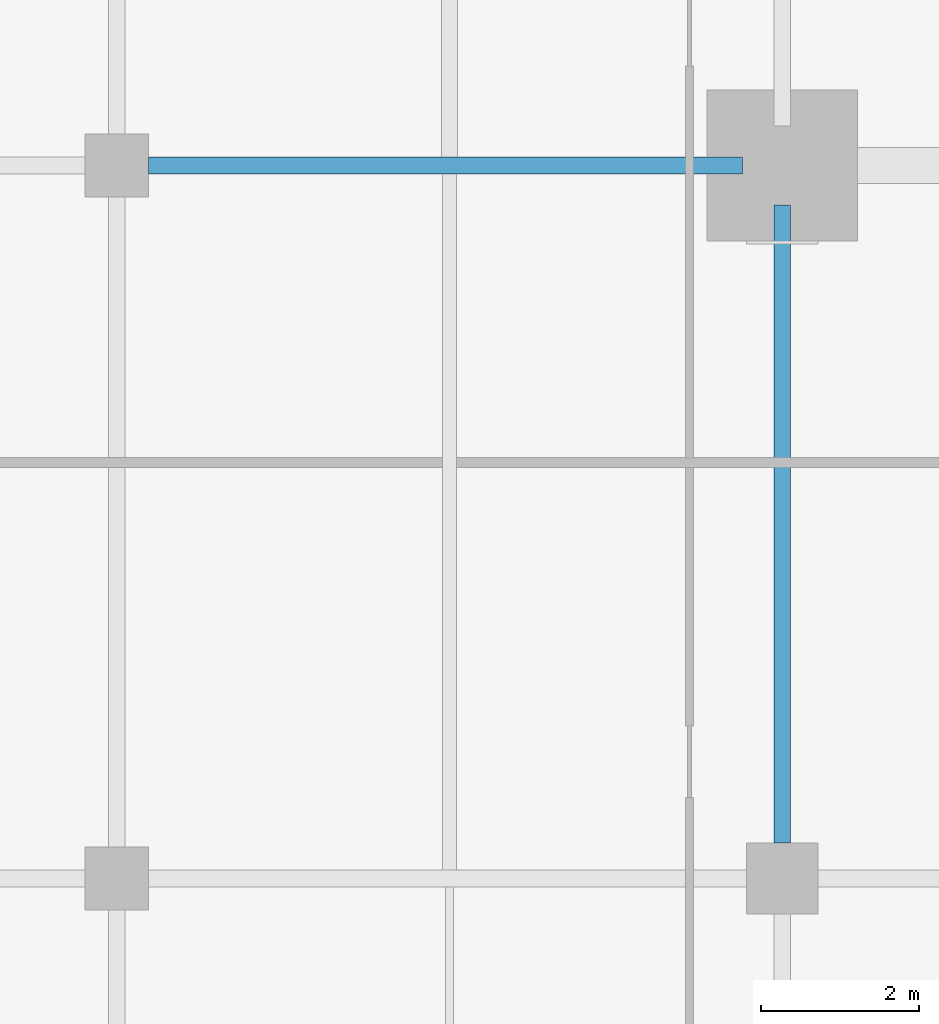
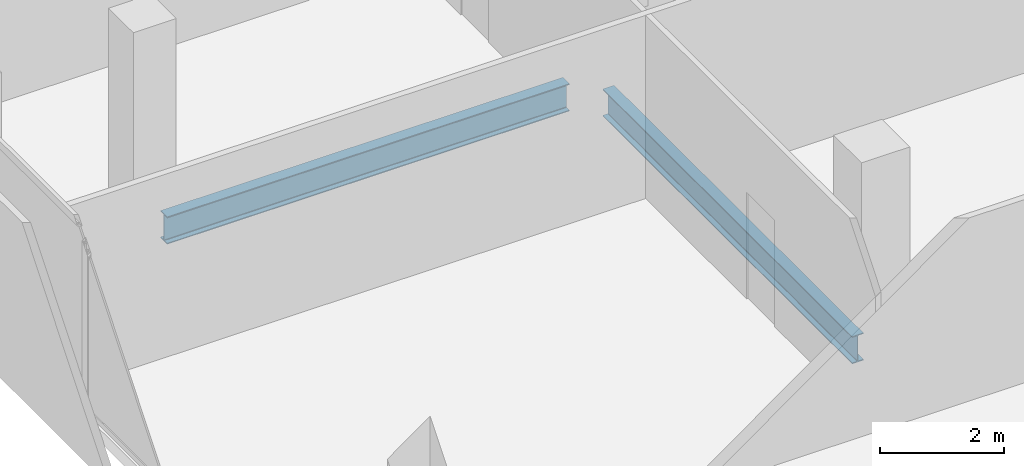
# One storey, part 9 of 33: 2 beams.
"""IFC4 building model written with IfcOpenShell, lengths in metres."""

from ifc_helpers import new_model, si_unit, direction, frame, origin, origin_2d, place, context, subcontext, project, spatial, i_section, extrude, material, material_profile, profile_set, type_object, element, save


model = new_model("IFC4")

# Units and contexts
model_context = context("Model", 3, precision=1e-05, world=origin(), true_north=direction((0.0, 1.0)))
body_context = subcontext(model_context, "Body", "Model", "MODEL_VIEW")
ifc_project = project(units=[si_unit("LENGTHUNIT", "METRE"), si_unit("AREAUNIT", "SQUARE_METRE"), si_unit("VOLUMEUNIT", "CUBIC_METRE"), si_unit("PLANEANGLEUNIT", "RADIAN"), si_unit("MASSUNIT", "GRAM", prefix="KILO")], contexts=[model_context])

# Site, building, storey
site_placement = place(None, origin())
site = spatial("IfcSite", under=ifc_project, at=site_placement, CompositionType="ELEMENT")
building_placement = place(site_placement, origin())
building = spatial("IfcBuilding", under=site, at=building_placement, Name="Maruvema Waterfront Hotel and Observation Tower", CompositionType="ELEMENT")
storey_placement = place(building_placement, frame((0.0, 0.0, 196.699951171875)))
storey = spatial("IfcBuildingStorey", under=building, at=storey_placement, Name="L48", CompositionType="ELEMENT", Elevation=196.699951171875)

# Beams
ifc_material = material(Name="Steel ASTM A572 Grade 50", Category="steel")
ifc_material_profile = material_profile(ifc_material, i_section(OverallWidth=0.2109375, OverallDepth=0.5390625, WebThickness=0.01171875, FlangeThickness=0.018798828125, FilletRadius=0.014892578125, at=origin_2d()), Name="W530x109.0")
ifc_profile_set = profile_set([ifc_material_profile], Name="Steel ASTM A572 Grade 50")
beam_type = type_object("IfcBeamType", Name="Primary Floor Girder W530x109.0", PredefinedType="BEAM", material=ifc_profile_set)
beam_1_placement = place(storey_placement, frame((17.199951171875, 27.0, -0.509521484375), z_axis=(1.0, 0.0, 0.0), x_axis=(0.0, 1.0, 0.0)))
element("IfcBeam", 1, at=beam_1_placement, inside=storey, type_object=beam_type, Name="L48 Floor Girder EW-19", PredefinedType="BEAM", context=body_context, shape_type="SweptSolid", body=[
    extrude(i_section(OverallWidth=0.2109375, OverallDepth=0.5390625, WebThickness=0.01171875, FlangeThickness=0.018798828125, FilletRadius=0.014892578125, at=origin_2d()), origin(), (0.0, 0.0, 1.0), 7.5),
])
beam_2_placement = place(storey_placement, frame((25.199951171875, 18.449951171875, -0.509521484375), z_axis=(0.0, 1.0, 0.0), x_axis=(-1.0, 0.0, 0.0)))
element("IfcBeam", 2, at=beam_2_placement, inside=storey, type_object=beam_type, Name="L48 Floor Girder NS-11", PredefinedType="BEAM", context=body_context, shape_type="SweptSolid", body=[
    extrude(i_section(OverallWidth=0.2109375, OverallDepth=0.5390625, WebThickness=0.01171875, FlangeThickness=0.018798828125, FilletRadius=0.014892578125, at=origin_2d()), origin(), (0.0, 0.0, 1.0), 8.050048828125),
])

save(model, "model.ifc")
